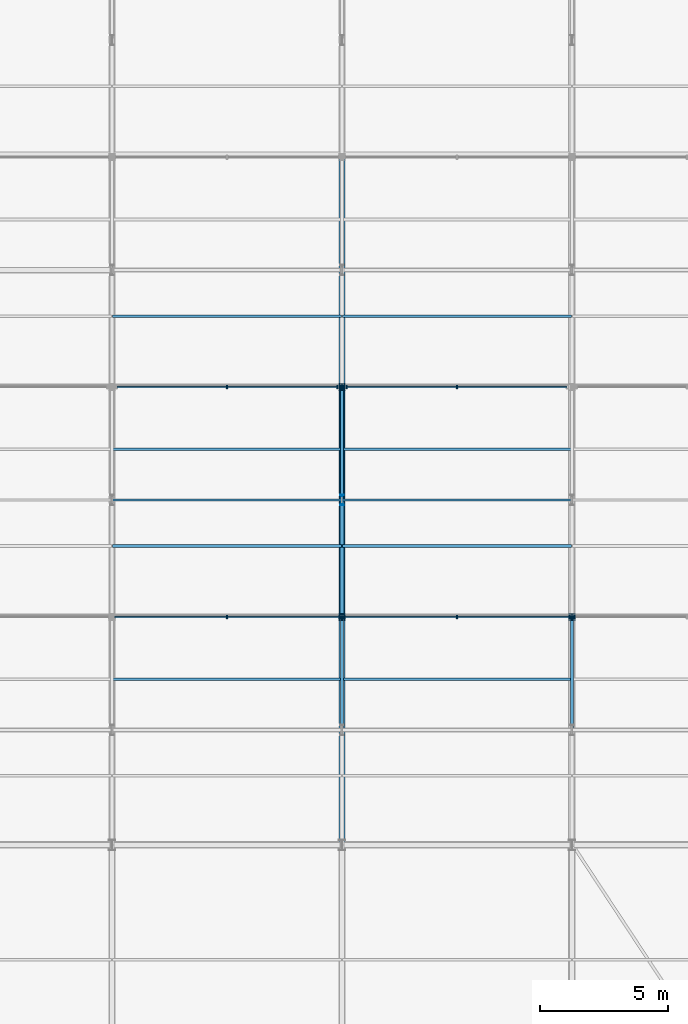
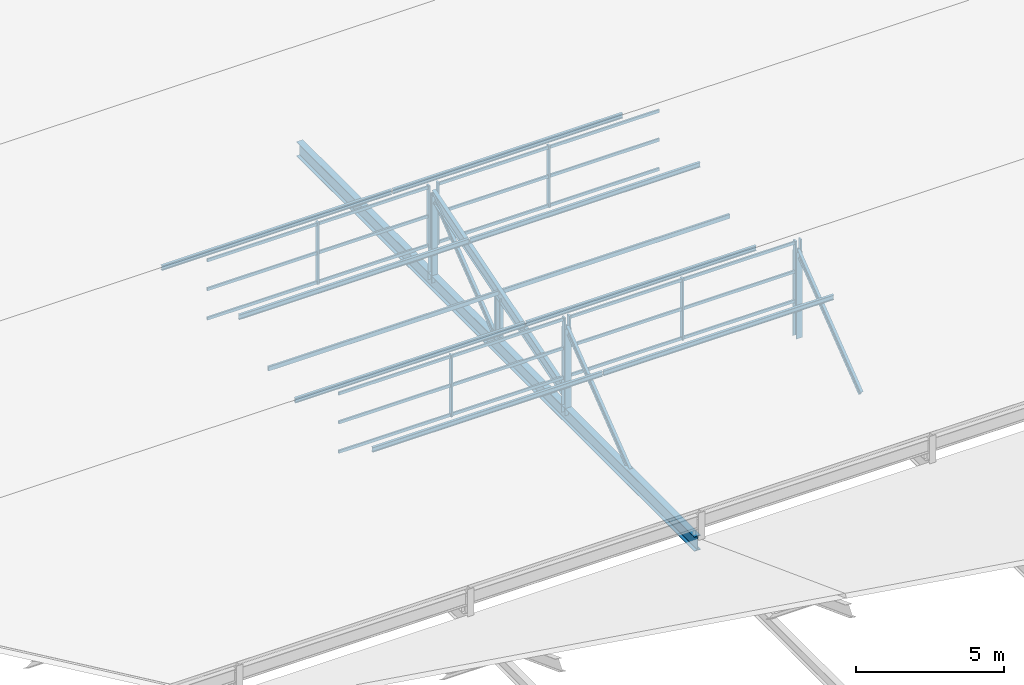
# One storey, part 63 of 163: 52 members, 1 beam, 5 elements without a shape of their own.
"""IFC4 building model written with IfcOpenShell, lengths in metres."""

from ifc_helpers import new_model, si_unit, direction, frame, origin, origin_2d, place, context, subcontext, project, spatial, rectangle, hollow_rectangle, i_section, extrude, material, material_profile, profile_set, type_object, element, aggregate, save


model = new_model("IFC4")

# Units and contexts
model_context = context("Model", 3, precision=1e-05, world=origin(), true_north=direction((0.0, 1.0)))
body_context = subcontext(model_context, "Body", "Model", "MODEL_VIEW")
ifc_project = project(units=[si_unit("LENGTHUNIT", "METRE"), si_unit("AREAUNIT", "SQUARE_METRE"), si_unit("VOLUMEUNIT", "CUBIC_METRE"), si_unit("PLANEANGLEUNIT", "RADIAN"), si_unit("MASSUNIT", "GRAM", prefix="KILO")], contexts=[model_context])

# Site, building, storey
site_placement = place(None, origin())
site = spatial("IfcSite", under=ifc_project, at=site_placement, CompositionType="ELEMENT")
building_placement = place(site_placement, origin())
building = spatial("IfcBuilding", under=site, at=building_placement, Name="Tharagai Park Tramway Depot", CompositionType="ELEMENT")
storey_placement = place(building_placement, frame((0.0, 0.0, 8.39990234375)))
storey = spatial("IfcBuildingStorey", under=building, at=storey_placement, Name="L02", CompositionType="ELEMENT", Elevation=8.39990234375)

# Beam
ifc_material_1 = material(Name="Steel E350", Category="steel")
ifc_material_profile_1 = material_profile(ifc_material_1, i_section(OverallWidth=0.25, OverallDepth=0.60009765625, WebThickness=0.01171875, FlangeThickness=0.023681640625, FilletRadius=0.01708984375, at=origin_2d()), Name="ISWB 600")
ifc_profile_set_1 = profile_set([ifc_material_profile_1], Name="Steel E350")
beam_type = type_object("IfcBeamType", Name="BM-01", PredefinedType="BEAM", material=ifc_profile_set_1)
beam_placement = place(storey_placement, frame((72.0, 90.080078125, -0.25), z_axis=(0.0, 1.0, 0.0), x_axis=(-1.0, 0.0, 0.0)))
element("IfcBeam", 1, at=beam_placement, inside=storey, type_object=beam_type, Name="Sawtooth Truss Bottom Tie Girder BM-01", PredefinedType="BEAM", context=body_context, shape_type="SweptSolid", body=[
    extrude(i_section(OverallWidth=0.25, OverallDepth=0.60009765625, WebThickness=0.01171875, FlangeThickness=0.023681640625, FilletRadius=0.01708984375, at=origin_2d()), origin(), (0.0, 0.0, 1.0), 26.83984375),
])

# Members
ifc_material_profile_2 = material_profile(ifc_material_1, i_section(OverallWidth=0.25, OverallDepth=0.25, WebThickness=0.0087890625, FlangeThickness=0.009765625, FilletRadius=0.010009765625, at=origin_2d()), Name="ISHB 250")
ifc_profile_set_2 = profile_set([ifc_material_profile_2], Name="Steel E350")
member_type_1 = type_object("IfcMemberType", Name="BR-01", PredefinedType="BRACE", material=ifc_profile_set_2)
for number, where, z_axis, x_axis, name in (
    (2, (72.0, 98.919921875, -0.25), (0.0, 0.0, 1.0), (1.0, 0.0, 0.0), "Sawtooth North Vertical Post BR-01"),
    (3, (72.0, 107.919921875, -0.25), (0.0, 0.0, 1.0), (1.0, 0.0, 0.0), "Sawtooth North Vertical Post BR-01"),
    (4, (81.0, 98.919921875, -0.25), (0.0, 0.0, 1.0), (1.0, 0.0, 0.0), "Sawtooth North Vertical Post BR-01"),
):
    element("IfcMember", number, at=place(storey_placement, frame(where, z_axis=z_axis, x_axis=x_axis)), inside=storey, type_object=member_type_1, Name=name, PredefinedType="BRACE", context=body_context, shape_type="SweptSolid", body=[
        extrude(i_section(OverallWidth=0.25, OverallDepth=0.25, WebThickness=0.0087890625, FlangeThickness=0.009765625, FilletRadius=0.010009765625, at=origin_2d()), origin(), (0.0, 0.0, 1.0), 3.55517578125),
    ])
ifc_material_profile_3 = material_profile(ifc_material_1, i_section(OverallWidth=0.110107421875, OverallDepth=0.22509765625, WebThickness=0.006591796875, FlangeThickness=0.01171875, FilletRadius=0.011962890625, at=origin_2d()), Name="ISMB 225")
ifc_profile_set_3 = profile_set([ifc_material_profile_3], Name="Steel E350")
member_type_2 = type_object("IfcMemberType", Name="BR-04", PredefinedType="BRACE", material=ifc_profile_set_3)
for number, where, z_axis, x_axis, name in (
    (5, (72.0, 94.64990234375, 0.0), (0.0, 0.790781596, 0.612098413188), (-1.0, 0.0, 0.0), "Sawtooth Truss Web Diagonal BR-04"),
    (6, (72.0, 103.64990234375, 0.0), (0.0, 0.790781596, 0.612098413188), (-1.0, 0.0, 0.0), "Sawtooth Truss Web Diagonal BR-04"),
    (7, (81.0, 94.64990234375, 0.0), (0.0, 0.790781596, 0.612098413188), (-1.0, 0.0, 0.0), "Sawtooth Truss Web Diagonal BR-04"),
):
    element("IfcMember", number, at=place(storey_placement, frame(where, z_axis=z_axis, x_axis=x_axis)), inside=storey, type_object=member_type_2, Name=name, PredefinedType="BRACE", context=body_context, shape_type="SweptSolid", body=[
        extrude(i_section(OverallWidth=0.110107421875, OverallDepth=0.22509765625, WebThickness=0.006591796875, FlangeThickness=0.01171875, FilletRadius=0.011962890625, at=origin_2d()), origin(), (0.0, 0.0, 1.0), 5.399658203125),
    ])

# Curtain wall, members
ifc_material_2 = material(Name="Anodised aluminium", Category="aluminium")
curtain_wall_type_1 = type_object("IfcCurtainWallType", Name="CW-04", PredefinedType="NOTDEFINED", material=ifc_material_2)
curtain_wall_1_placement = place(storey_placement, origin())
curtain_wall_1 = element("IfcCurtainWall", 8, at=curtain_wall_1_placement, inside=storey, type_object=curtain_wall_type_1, Name="Sawtooth North-Light Clerestory CW-04", PredefinedType="NOTDEFINED")
ifc_material_profile_4 = material_profile(ifc_material_2, rectangle(XDim=0.06494140625, YDim=0.1201171875, at=origin_2d()), Name="ALU 65x120")
ifc_profile_set_4 = profile_set([ifc_material_profile_4], Name="Anodised aluminium")
member_type_3 = type_object("IfcMemberType", Name="CM-01", PredefinedType="USERDEFINED", material=ifc_profile_set_4)
member_1_placement = place(storey_placement, frame((63.114990234375, 98.919921875, 1.26513671875), z_axis=(1.0, 0.0, 0.0), x_axis=(0.0, 1.0, 0.0)))
member_1 = element("IfcMember", 9, at=member_1_placement, type_object=member_type_3, Name="Sawtooth North-Light Clerestory Transom 1.1", ObjectType="TRANSOM", PredefinedType="USERDEFINED", context=body_context, shape_type="SweptSolid", body=[
    extrude(rectangle(XDim=0.06494140625, YDim=0.1201171875, at=origin_2d()), origin(), (0.0, 0.0, 1.0), 4.3701171875),
])
member_2_placement = place(storey_placement, frame((63.114990234375, 98.919921875, 2.4736328125), z_axis=(1.0, 0.0, 0.0), x_axis=(0.0, 1.0, 0.0)))
member_2 = element("IfcMember", 10, at=member_2_placement, type_object=member_type_3, Name="Sawtooth North-Light Clerestory Transom 1.2", ObjectType="TRANSOM", PredefinedType="USERDEFINED", context=body_context, shape_type="SweptSolid", body=[
    extrude(rectangle(XDim=0.06494140625, YDim=0.1201171875, at=origin_2d()), origin(), (0.0, 0.0, 1.0), 4.3701171875),
])
member_3_placement = place(storey_placement, frame((63.114990234375, 98.919921875, 3.662353515625), z_axis=(1.0, 0.0, 0.0), x_axis=(0.0, 1.0, 0.0)))
member_3 = element("IfcMember", 11, at=member_3_placement, type_object=member_type_3, Name="Sawtooth North-Light Clerestory Transom 1.3", ObjectType="TRANSOM", PredefinedType="USERDEFINED", context=body_context, shape_type="SweptSolid", body=[
    extrude(rectangle(XDim=0.06494140625, YDim=0.1201171875, at=origin_2d()), origin(), (0.0, 0.0, 1.0), 4.3701171875),
])
member_4_placement = place(storey_placement, frame((67.514892578125, 98.919921875, 1.26513671875), z_axis=(1.0, 0.0, 0.0), x_axis=(0.0, 1.0, 0.0)))
member_4 = element("IfcMember", 12, at=member_4_placement, type_object=member_type_3, Name="Sawtooth North-Light Clerestory Transom 2.1", ObjectType="TRANSOM", PredefinedType="USERDEFINED", context=body_context, shape_type="SweptSolid", body=[
    extrude(rectangle(XDim=0.06494140625, YDim=0.1201171875, at=origin_2d()), origin(), (0.0, 0.0, 1.0), 4.3701171875),
])
member_5_placement = place(storey_placement, frame((67.514892578125, 98.919921875, 2.4736328125), z_axis=(1.0, 0.0, 0.0), x_axis=(0.0, 1.0, 0.0)))
member_5 = element("IfcMember", 13, at=member_5_placement, type_object=member_type_3, Name="Sawtooth North-Light Clerestory Transom 2.2", ObjectType="TRANSOM", PredefinedType="USERDEFINED", context=body_context, shape_type="SweptSolid", body=[
    extrude(rectangle(XDim=0.06494140625, YDim=0.1201171875, at=origin_2d()), origin(), (0.0, 0.0, 1.0), 4.3701171875),
])
member_6_placement = place(storey_placement, frame((67.514892578125, 98.919921875, 3.662353515625), z_axis=(1.0, 0.0, 0.0), x_axis=(0.0, 1.0, 0.0)))
member_6 = element("IfcMember", 14, at=member_6_placement, type_object=member_type_3, Name="Sawtooth North-Light Clerestory Transom 2.3", ObjectType="TRANSOM", PredefinedType="USERDEFINED", context=body_context, shape_type="SweptSolid", body=[
    extrude(rectangle(XDim=0.06494140625, YDim=0.1201171875, at=origin_2d()), origin(), (0.0, 0.0, 1.0), 4.3701171875),
])

curtain_wall_2_placement = place(storey_placement, origin())
curtain_wall_2 = element("IfcCurtainWall", 15, at=curtain_wall_2_placement, inside=storey, type_object=curtain_wall_type_1, Name="Sawtooth North-Light Clerestory CW-04", PredefinedType="NOTDEFINED")
member_7_placement = place(storey_placement, frame((72.114990234375, 98.919921875, 1.26513671875), z_axis=(1.0, 0.0, 0.0), x_axis=(0.0, 1.0, 0.0)))
member_7 = element("IfcMember", 16, at=member_7_placement, type_object=member_type_3, Name="Sawtooth North-Light Clerestory Transom 1.1", ObjectType="TRANSOM", PredefinedType="USERDEFINED", context=body_context, shape_type="SweptSolid", body=[
    extrude(rectangle(XDim=0.06494140625, YDim=0.1201171875, at=origin_2d()), origin(), (0.0, 0.0, 1.0), 4.3701171875),
])
member_8_placement = place(storey_placement, frame((72.114990234375, 98.919921875, 2.4736328125), z_axis=(1.0, 0.0, 0.0), x_axis=(0.0, 1.0, 0.0)))
member_8 = element("IfcMember", 17, at=member_8_placement, type_object=member_type_3, Name="Sawtooth North-Light Clerestory Transom 1.2", ObjectType="TRANSOM", PredefinedType="USERDEFINED", context=body_context, shape_type="SweptSolid", body=[
    extrude(rectangle(XDim=0.06494140625, YDim=0.1201171875, at=origin_2d()), origin(), (0.0, 0.0, 1.0), 4.3701171875),
])
member_9_placement = place(storey_placement, frame((72.114990234375, 98.919921875, 3.662353515625), z_axis=(1.0, 0.0, 0.0), x_axis=(0.0, 1.0, 0.0)))
member_9 = element("IfcMember", 18, at=member_9_placement, type_object=member_type_3, Name="Sawtooth North-Light Clerestory Transom 1.3", ObjectType="TRANSOM", PredefinedType="USERDEFINED", context=body_context, shape_type="SweptSolid", body=[
    extrude(rectangle(XDim=0.06494140625, YDim=0.1201171875, at=origin_2d()), origin(), (0.0, 0.0, 1.0), 4.3701171875),
])
member_10_placement = place(storey_placement, frame((76.514892578125, 98.919921875, 1.26513671875), z_axis=(1.0, 0.0, 0.0), x_axis=(0.0, 1.0, 0.0)))
member_10 = element("IfcMember", 19, at=member_10_placement, type_object=member_type_3, Name="Sawtooth North-Light Clerestory Transom 2.1", ObjectType="TRANSOM", PredefinedType="USERDEFINED", context=body_context, shape_type="SweptSolid", body=[
    extrude(rectangle(XDim=0.06494140625, YDim=0.1201171875, at=origin_2d()), origin(), (0.0, 0.0, 1.0), 4.3701171875),
])
member_11_placement = place(storey_placement, frame((76.514892578125, 98.919921875, 2.4736328125), z_axis=(1.0, 0.0, 0.0), x_axis=(0.0, 1.0, 0.0)))
member_11 = element("IfcMember", 20, at=member_11_placement, type_object=member_type_3, Name="Sawtooth North-Light Clerestory Transom 2.2", ObjectType="TRANSOM", PredefinedType="USERDEFINED", context=body_context, shape_type="SweptSolid", body=[
    extrude(rectangle(XDim=0.06494140625, YDim=0.1201171875, at=origin_2d()), origin(), (0.0, 0.0, 1.0), 4.3701171875),
])
member_12_placement = place(storey_placement, frame((76.514892578125, 98.919921875, 3.662353515625), z_axis=(1.0, 0.0, 0.0), x_axis=(0.0, 1.0, 0.0)))
member_12 = element("IfcMember", 21, at=member_12_placement, type_object=member_type_3, Name="Sawtooth North-Light Clerestory Transom 2.3", ObjectType="TRANSOM", PredefinedType="USERDEFINED", context=body_context, shape_type="SweptSolid", body=[
    extrude(rectangle(XDim=0.06494140625, YDim=0.1201171875, at=origin_2d()), origin(), (0.0, 0.0, 1.0), 4.3701171875),
])

curtain_wall_type_2 = type_object("IfcCurtainWallType", Name="CW-03", PredefinedType="NOTDEFINED", material=ifc_material_2)
curtain_wall_3_placement = place(storey_placement, origin())
curtain_wall_3 = element("IfcCurtainWall", 22, at=curtain_wall_3_placement, inside=storey, type_object=curtain_wall_type_2, Name="Sawtooth North-Light Clerestory CW-03", PredefinedType="NOTDEFINED")
member_13_placement = place(storey_placement, frame((63.195068359375, 107.919921875, 1.26513671875), z_axis=(1.0, 0.0, 0.0), x_axis=(0.0, 1.0, 0.0)))
member_13 = element("IfcMember", 23, at=member_13_placement, type_object=member_type_3, Name="Sawtooth North-Light Clerestory Transom 1.1", ObjectType="TRANSOM", PredefinedType="USERDEFINED", context=body_context, shape_type="SweptSolid", body=[
    extrude(rectangle(XDim=0.06494140625, YDim=0.1201171875, at=origin_2d()), origin(), (0.0, 0.0, 1.0), 4.2900390625),
])
member_14_placement = place(storey_placement, frame((63.195068359375, 107.919921875, 2.4736328125), z_axis=(1.0, 0.0, 0.0), x_axis=(0.0, 1.0, 0.0)))
member_14 = element("IfcMember", 24, at=member_14_placement, type_object=member_type_3, Name="Sawtooth North-Light Clerestory Transom 1.2", ObjectType="TRANSOM", PredefinedType="USERDEFINED", context=body_context, shape_type="SweptSolid", body=[
    extrude(rectangle(XDim=0.06494140625, YDim=0.1201171875, at=origin_2d()), origin(), (0.0, 0.0, 1.0), 4.2900390625),
])
member_15_placement = place(storey_placement, frame((63.195068359375, 107.919921875, 3.662353515625), z_axis=(1.0, 0.0, 0.0), x_axis=(0.0, 1.0, 0.0)))
member_15 = element("IfcMember", 25, at=member_15_placement, type_object=member_type_3, Name="Sawtooth North-Light Clerestory Transom 1.3", ObjectType="TRANSOM", PredefinedType="USERDEFINED", context=body_context, shape_type="SweptSolid", body=[
    extrude(rectangle(XDim=0.06494140625, YDim=0.1201171875, at=origin_2d()), origin(), (0.0, 0.0, 1.0), 4.2900390625),
])
member_16_placement = place(storey_placement, frame((67.514892578125, 107.919921875, 1.26513671875), z_axis=(1.0, 0.0, 0.0), x_axis=(0.0, 1.0, 0.0)))
member_16 = element("IfcMember", 26, at=member_16_placement, type_object=member_type_3, Name="Sawtooth North-Light Clerestory Transom 2.1", ObjectType="TRANSOM", PredefinedType="USERDEFINED", context=body_context, shape_type="SweptSolid", body=[
    extrude(rectangle(XDim=0.06494140625, YDim=0.1201171875, at=origin_2d()), origin(), (0.0, 0.0, 1.0), 4.2900390625),
])
member_17_placement = place(storey_placement, frame((67.514892578125, 107.919921875, 2.4736328125), z_axis=(1.0, 0.0, 0.0), x_axis=(0.0, 1.0, 0.0)))
member_17 = element("IfcMember", 27, at=member_17_placement, type_object=member_type_3, Name="Sawtooth North-Light Clerestory Transom 2.2", ObjectType="TRANSOM", PredefinedType="USERDEFINED", context=body_context, shape_type="SweptSolid", body=[
    extrude(rectangle(XDim=0.06494140625, YDim=0.1201171875, at=origin_2d()), origin(), (0.0, 0.0, 1.0), 4.2900390625),
])
member_18_placement = place(storey_placement, frame((67.514892578125, 107.919921875, 3.662353515625), z_axis=(1.0, 0.0, 0.0), x_axis=(0.0, 1.0, 0.0)))
member_18 = element("IfcMember", 28, at=member_18_placement, type_object=member_type_3, Name="Sawtooth North-Light Clerestory Transom 2.3", ObjectType="TRANSOM", PredefinedType="USERDEFINED", context=body_context, shape_type="SweptSolid", body=[
    extrude(rectangle(XDim=0.06494140625, YDim=0.1201171875, at=origin_2d()), origin(), (0.0, 0.0, 1.0), 4.2900390625),
])

curtain_wall_4_placement = place(storey_placement, origin())
curtain_wall_4 = element("IfcCurtainWall", 29, at=curtain_wall_4_placement, inside=storey, type_object=curtain_wall_type_2, Name="Sawtooth North-Light Clerestory CW-03", PredefinedType="NOTDEFINED")
member_19_placement = place(storey_placement, frame((72.195068359375, 107.919921875, 1.26513671875), z_axis=(1.0, 0.0, 0.0), x_axis=(0.0, 1.0, 0.0)))
member_19 = element("IfcMember", 30, at=member_19_placement, type_object=member_type_3, Name="Sawtooth North-Light Clerestory Transom 1.1", ObjectType="TRANSOM", PredefinedType="USERDEFINED", context=body_context, shape_type="SweptSolid", body=[
    extrude(rectangle(XDim=0.06494140625, YDim=0.1201171875, at=origin_2d()), origin(), (0.0, 0.0, 1.0), 4.2900390625),
])
member_20_placement = place(storey_placement, frame((72.195068359375, 107.919921875, 2.4736328125), z_axis=(1.0, 0.0, 0.0), x_axis=(0.0, 1.0, 0.0)))
member_20 = element("IfcMember", 31, at=member_20_placement, type_object=member_type_3, Name="Sawtooth North-Light Clerestory Transom 1.2", ObjectType="TRANSOM", PredefinedType="USERDEFINED", context=body_context, shape_type="SweptSolid", body=[
    extrude(rectangle(XDim=0.06494140625, YDim=0.1201171875, at=origin_2d()), origin(), (0.0, 0.0, 1.0), 4.2900390625),
])
member_21_placement = place(storey_placement, frame((72.195068359375, 107.919921875, 3.662353515625), z_axis=(1.0, 0.0, 0.0), x_axis=(0.0, 1.0, 0.0)))
member_21 = element("IfcMember", 32, at=member_21_placement, type_object=member_type_3, Name="Sawtooth North-Light Clerestory Transom 1.3", ObjectType="TRANSOM", PredefinedType="USERDEFINED", context=body_context, shape_type="SweptSolid", body=[
    extrude(rectangle(XDim=0.06494140625, YDim=0.1201171875, at=origin_2d()), origin(), (0.0, 0.0, 1.0), 4.2900390625),
])
member_22_placement = place(storey_placement, frame((76.514892578125, 107.919921875, 1.26513671875), z_axis=(1.0, 0.0, 0.0), x_axis=(0.0, 1.0, 0.0)))
member_22 = element("IfcMember", 33, at=member_22_placement, type_object=member_type_3, Name="Sawtooth North-Light Clerestory Transom 2.1", ObjectType="TRANSOM", PredefinedType="USERDEFINED", context=body_context, shape_type="SweptSolid", body=[
    extrude(rectangle(XDim=0.06494140625, YDim=0.1201171875, at=origin_2d()), origin(), (0.0, 0.0, 1.0), 4.2900390625),
])
member_23_placement = place(storey_placement, frame((76.514892578125, 107.919921875, 2.4736328125), z_axis=(1.0, 0.0, 0.0), x_axis=(0.0, 1.0, 0.0)))
member_23 = element("IfcMember", 34, at=member_23_placement, type_object=member_type_3, Name="Sawtooth North-Light Clerestory Transom 2.2", ObjectType="TRANSOM", PredefinedType="USERDEFINED", context=body_context, shape_type="SweptSolid", body=[
    extrude(rectangle(XDim=0.06494140625, YDim=0.1201171875, at=origin_2d()), origin(), (0.0, 0.0, 1.0), 4.2900390625),
])
member_24_placement = place(storey_placement, frame((76.514892578125, 107.919921875, 3.662353515625), z_axis=(1.0, 0.0, 0.0), x_axis=(0.0, 1.0, 0.0)))
member_24 = element("IfcMember", 35, at=member_24_placement, type_object=member_type_3, Name="Sawtooth North-Light Clerestory Transom 2.3", ObjectType="TRANSOM", PredefinedType="USERDEFINED", context=body_context, shape_type="SweptSolid", body=[
    extrude(rectangle(XDim=0.06494140625, YDim=0.1201171875, at=origin_2d()), origin(), (0.0, 0.0, 1.0), 4.2900390625),
])

# Member
ifc_material_profile_5 = material_profile(ifc_material_2, rectangle(XDim=0.06494140625, YDim=0.14990234375, at=origin_2d()), Name="ALU 65x150")
ifc_profile_set_5 = profile_set([ifc_material_profile_5], Name="Anodised aluminium")
member_type_4 = type_object("IfcMemberType", Name="CM-03", PredefinedType="MULLION", material=ifc_profile_set_5)
member_25_placement = place(storey_placement, frame((67.5, 98.919921875, 1.2001953125), z_axis=(0.0, 0.0, 1.0), x_axis=(1.0, 0.0, 0.0)))
member_25 = element("IfcMember", 36, at=member_25_placement, type_object=member_type_4, Name="Sawtooth North-Light Clerestory Mullion 2", PredefinedType="MULLION", context=body_context, shape_type="SweptSolid", body=[
    extrude(rectangle(XDim=0.06494140625, YDim=0.14990234375, at=origin_2d()), origin(), (0.0, 0.0, 1.0), 2.547119140625),
])

member_26_placement = place(storey_placement, frame((71.89990234375, 98.919921875, 1.2001953125), z_axis=(0.0, 0.0, 1.0), x_axis=(1.0, 0.0, 0.0)))
member_26 = element("IfcMember", 37, at=member_26_placement, type_object=member_type_4, Name="Sawtooth North-Light Clerestory Mullion 3", PredefinedType="MULLION", context=body_context, shape_type="SweptSolid", body=[
    extrude(rectangle(XDim=0.06494140625, YDim=0.14990234375, at=origin_2d()), origin(), (0.0, 0.0, 1.0), 2.547119140625),
])

aggregate(curtain_wall_1, [member_25, member_26, member_1, member_2, member_3, member_4, member_5, member_6])

member_27_placement = place(storey_placement, frame((72.10009765625, 98.919921875, 1.2001953125), z_axis=(0.0, 0.0, 1.0), x_axis=(1.0, 0.0, 0.0)))
member_27 = element("IfcMember", 38, at=member_27_placement, type_object=member_type_4, Name="Sawtooth North-Light Clerestory Mullion 1", PredefinedType="MULLION", context=body_context, shape_type="SweptSolid", body=[
    extrude(rectangle(XDim=0.06494140625, YDim=0.14990234375, at=origin_2d()), origin(), (0.0, 0.0, 1.0), 2.547119140625),
])

member_28_placement = place(storey_placement, frame((76.5, 98.919921875, 1.2001953125), z_axis=(0.0, 0.0, 1.0), x_axis=(1.0, 0.0, 0.0)))
member_28 = element("IfcMember", 39, at=member_28_placement, type_object=member_type_4, Name="Sawtooth North-Light Clerestory Mullion 2", PredefinedType="MULLION", context=body_context, shape_type="SweptSolid", body=[
    extrude(rectangle(XDim=0.06494140625, YDim=0.14990234375, at=origin_2d()), origin(), (0.0, 0.0, 1.0), 2.547119140625),
])

member_29_placement = place(storey_placement, frame((80.89990234375, 98.919921875, 1.2001953125), z_axis=(0.0, 0.0, 1.0), x_axis=(1.0, 0.0, 0.0)))
member_29 = element("IfcMember", 40, at=member_29_placement, type_object=member_type_4, Name="Sawtooth North-Light Clerestory Mullion 3", PredefinedType="MULLION", context=body_context, shape_type="SweptSolid", body=[
    extrude(rectangle(XDim=0.06494140625, YDim=0.14990234375, at=origin_2d()), origin(), (0.0, 0.0, 1.0), 2.547119140625),
])

aggregate(curtain_wall_2, [member_27, member_28, member_29, member_7, member_8, member_9, member_10, member_11, member_12])

# Curtain wall, member
curtain_wall_5_placement = place(storey_placement, origin())
curtain_wall_5 = element("IfcCurtainWall", 41, at=curtain_wall_5_placement, inside=storey, type_object=curtain_wall_type_1, Name="Sawtooth North-Light Clerestory CW-04", PredefinedType="NOTDEFINED")
member_30_placement = place(storey_placement, frame((81.10009765625, 98.919921875, 1.2001953125), z_axis=(0.0, 0.0, 1.0), x_axis=(1.0, 0.0, 0.0)))
member_30 = element("IfcMember", 42, at=member_30_placement, type_object=member_type_4, Name="Sawtooth North-Light Clerestory Mullion 1", PredefinedType="MULLION", context=body_context, shape_type="SweptSolid", body=[
    extrude(rectangle(XDim=0.06494140625, YDim=0.14990234375, at=origin_2d()), origin(), (0.0, 0.0, 1.0), 2.547119140625),
])
aggregate(curtain_wall_5, [member_30])

# Member
member_31_placement = place(storey_placement, frame((67.5, 107.919921875, 1.2001953125), z_axis=(0.0, 0.0, 1.0), x_axis=(1.0, 0.0, 0.0)))
member_31 = element("IfcMember", 43, at=member_31_placement, type_object=member_type_4, Name="Sawtooth North-Light Clerestory Mullion 2", PredefinedType="MULLION", context=body_context, shape_type="SweptSolid", body=[
    extrude(rectangle(XDim=0.06494140625, YDim=0.14990234375, at=origin_2d()), origin(), (0.0, 0.0, 1.0), 2.547119140625),
])

member_32_placement = place(storey_placement, frame((71.820068359375, 107.919921875, 1.2001953125), z_axis=(0.0, 0.0, 1.0), x_axis=(1.0, 0.0, 0.0)))
member_32 = element("IfcMember", 44, at=member_32_placement, type_object=member_type_4, Name="Sawtooth North-Light Clerestory Mullion 3", PredefinedType="MULLION", context=body_context, shape_type="SweptSolid", body=[
    extrude(rectangle(XDim=0.06494140625, YDim=0.14990234375, at=origin_2d()), origin(), (0.0, 0.0, 1.0), 2.547119140625),
])

aggregate(curtain_wall_3, [member_31, member_32, member_13, member_14, member_15, member_16, member_17, member_18])

member_33_placement = place(storey_placement, frame((72.179931640625, 107.919921875, 1.2001953125), z_axis=(0.0, 0.0, 1.0), x_axis=(1.0, 0.0, 0.0)))
member_33 = element("IfcMember", 45, at=member_33_placement, type_object=member_type_4, Name="Sawtooth North-Light Clerestory Mullion 1", PredefinedType="MULLION", context=body_context, shape_type="SweptSolid", body=[
    extrude(rectangle(XDim=0.06494140625, YDim=0.14990234375, at=origin_2d()), origin(), (0.0, 0.0, 1.0), 2.547119140625),
])

member_34_placement = place(storey_placement, frame((76.5, 107.919921875, 1.2001953125), z_axis=(0.0, 0.0, 1.0), x_axis=(1.0, 0.0, 0.0)))
member_34 = element("IfcMember", 46, at=member_34_placement, type_object=member_type_4, Name="Sawtooth North-Light Clerestory Mullion 2", PredefinedType="MULLION", context=body_context, shape_type="SweptSolid", body=[
    extrude(rectangle(XDim=0.06494140625, YDim=0.14990234375, at=origin_2d()), origin(), (0.0, 0.0, 1.0), 2.547119140625),
])

aggregate(curtain_wall_4, [member_33, member_34, member_19, member_20, member_21, member_22, member_23, member_24])

# Members
ifc_material_3 = material(Name="Steel E250", Category="steel")
ifc_material_profile_6 = material_profile(ifc_material_3, i_section(OverallWidth=0.10009765625, OverallDepth=0.199951171875, WebThickness=0.00537109375, FlangeThickness=0.00732421875, FilletRadius=0.009033203125, at=origin_2d()), Name="ISLB 200")
ifc_profile_set_6 = profile_set([ifc_material_profile_6], Name="Steel E250")
member_type_5 = type_object("IfcMemberType", Name="PR-03", PredefinedType="PURLIN", material=ifc_profile_set_6)
for number, where, z_axis, x_axis, name in (
    (47, (63.02001953125, 101.699951171875, 1.733154296875), (1.0, 0.0, 0.0), (0.0, 1.0, 0.0), "Sawtooth Roof Purlin PR-03"),
    (48, (63.02001953125, 105.47998046875, 2.87451171875), (1.0, 0.0, 0.0), (0.0, 1.0, 0.0), "Sawtooth Roof Purlin PR-03"),
    (49, (72.02001953125, 101.699951171875, 1.733154296875), (1.0, 0.0, 0.0), (0.0, 1.0, 0.0), "Sawtooth Roof Purlin PR-03"),
    (50, (72.02001953125, 105.47998046875, 2.87451171875), (1.0, 0.0, 0.0), (0.0, 1.0, 0.0), "Sawtooth Roof Purlin PR-03"),
):
    element("IfcMember", number, at=place(storey_placement, frame(where, z_axis=z_axis, x_axis=x_axis)), inside=storey, type_object=member_type_5, Name=name, PredefinedType="PURLIN", context=body_context, shape_type="SweptSolid", body=[
        extrude(i_section(OverallWidth=0.10009765625, OverallDepth=0.199951171875, WebThickness=0.00537109375, FlangeThickness=0.00732421875, FilletRadius=0.009033203125, at=origin_2d()), origin(), (0.0, 0.0, 1.0), 8.9599609375),
    ])
ifc_material_profile_7 = material_profile(ifc_material_3, i_section(OverallWidth=0.10009765625, OverallDepth=0.199951171875, WebThickness=0.005615234375, FlangeThickness=0.0107421875, FilletRadius=0.010986328125, at=origin_2d()), Name="ISMB 200")
ifc_profile_set_7 = profile_set([ifc_material_profile_7], Name="Steel E250")
member_type_6 = type_object("IfcMemberType", Name="PR-04", PredefinedType="PURLIN", material=ifc_profile_set_7)
for number, where, z_axis, x_axis, name in (
    (51, (63.02001953125, 96.47998046875, 2.87451171875), (1.0, 0.0, 0.0), (0.0, 1.0, 0.0), "Sawtooth Roof Purlin PR-04"),
    (52, (63.02001953125, 110.699951171875, 1.733154296875), (1.0, 0.0, 0.0), (0.0, 1.0, 0.0), "Sawtooth Roof Purlin PR-04"),
    (53, (72.02001953125, 96.47998046875, 2.87451171875), (1.0, 0.0, 0.0), (0.0, 1.0, 0.0), "Sawtooth Roof Purlin PR-04"),
    (54, (72.02001953125, 110.699951171875, 1.733154296875), (1.0, 0.0, 0.0), (0.0, 1.0, 0.0), "Sawtooth Roof Purlin PR-04"),
):
    element("IfcMember", number, at=place(storey_placement, frame(where, z_axis=z_axis, x_axis=x_axis)), inside=storey, type_object=member_type_6, Name=name, PredefinedType="PURLIN", context=body_context, shape_type="SweptSolid", body=[
        extrude(i_section(OverallWidth=0.10009765625, OverallDepth=0.199951171875, WebThickness=0.005615234375, FlangeThickness=0.0107421875, FilletRadius=0.010986328125, at=origin_2d()), origin(), (0.0, 0.0, 1.0), 8.9599609375),
    ])
ifc_material_profile_8 = material_profile(ifc_material_1, hollow_rectangle(XDim=0.090087890625, YDim=0.179931640625, WallThickness=0.006103515625, InnerFilletRadius=0.006103515625, OuterFilletRadius=0.011962890625, at=origin_2d()), Name="RHS 180x90x6")
ifc_profile_set_8 = profile_set([ifc_material_profile_8], Name="Steel E350")
member_type_7 = type_object("IfcMemberType", Name="RF-05", PredefinedType="RAFTER", material=ifc_profile_set_8)
for number, where, z_axis, x_axis, name in (
    (55, (63.02001953125, 103.5, 1.946533203125), (1.0, 0.0, 0.0), (0.0, 1.0, 0.0), "Sawtooth Tubular Tie Strut RF-05"),
    (56, (72.02001953125, 103.5, 1.946533203125), (1.0, 0.0, 0.0), (0.0, 1.0, 0.0), "Sawtooth Tubular Tie Strut RF-05"),
):
    element("IfcMember", number, at=place(storey_placement, frame(where, z_axis=z_axis, x_axis=x_axis)), inside=storey, type_object=member_type_7, Name=name, PredefinedType="RAFTER", context=body_context, shape_type="SweptSolid", body=[
        extrude(hollow_rectangle(XDim=0.090087890625, YDim=0.179931640625, WallThickness=0.006103515625, InnerFilletRadius=0.006103515625, OuterFilletRadius=0.011962890625, at=origin_2d()), origin(), (0.0, 0.0, 1.0), 8.9599609375),
    ])
ifc_material_profile_9 = material_profile(ifc_material_1, i_section(OverallWidth=0.14990234375, OverallDepth=0.449951171875, WebThickness=0.009521484375, FlangeThickness=0.017333984375, FilletRadius=0.014892578125, at=origin_2d()), Name="ISMB 450")
ifc_profile_set_9 = profile_set([ifc_material_profile_9], Name="Steel E350")
member_type_8 = type_object("IfcMemberType", Name="TC-05", PredefinedType="CHORD", material=ifc_profile_set_9)
member_35_placement = place(storey_placement, frame((72.0, 99.06005859375, 0.587890625), z_axis=(0.0, 0.956231486327, 0.29261125159), x_axis=(-1.0, 0.0, 0.0)))
element("IfcMember", 57, at=member_35_placement, inside=storey, type_object=member_type_8, Name="Sawtooth Top Chord TC-05", PredefinedType="CHORD", context=body_context, shape_type="SweptSolid", body=[
    extrude(i_section(OverallWidth=0.14990234375, OverallDepth=0.449951171875, WebThickness=0.009521484375, FlangeThickness=0.017333984375, FilletRadius=0.014892578125, at=origin_2d()), origin(), (0.0, 0.0, 1.0), 9.286376953125),
])
ifc_material_profile_10 = material_profile(ifc_material_1, i_section(OverallWidth=0.139892578125, OverallDepth=0.39990234375, WebThickness=0.0087890625, FlangeThickness=0.01611328125, FilletRadius=0.013916015625, at=origin_2d()), Name="ISMB 400")
ifc_profile_set_10 = profile_set([ifc_material_profile_10], Name="Steel E350")
member_type_9 = type_object("IfcMemberType", Name="TC-06", PredefinedType="CHORD", material=ifc_profile_set_10)
member_36_placement = place(storey_placement, frame((72.0, 103.5, -0.0498046875), z_axis=(0.0, 0.0, 1.0), x_axis=(1.0, 0.0, 0.0)))
element("IfcMember", 58, at=member_36_placement, inside=storey, type_object=member_type_9, Name="Sawtooth Mid-Tooth Strut TC-06", PredefinedType="CHORD", context=body_context, shape_type="SweptSolid", body=[
    extrude(i_section(OverallWidth=0.139892578125, OverallDepth=0.39990234375, WebThickness=0.0087890625, FlangeThickness=0.01611328125, FilletRadius=0.013916015625, at=origin_2d()), origin(), (0.0, 0.0, 1.0), 1.846435546875),
])

save(model, "model.ifc")
